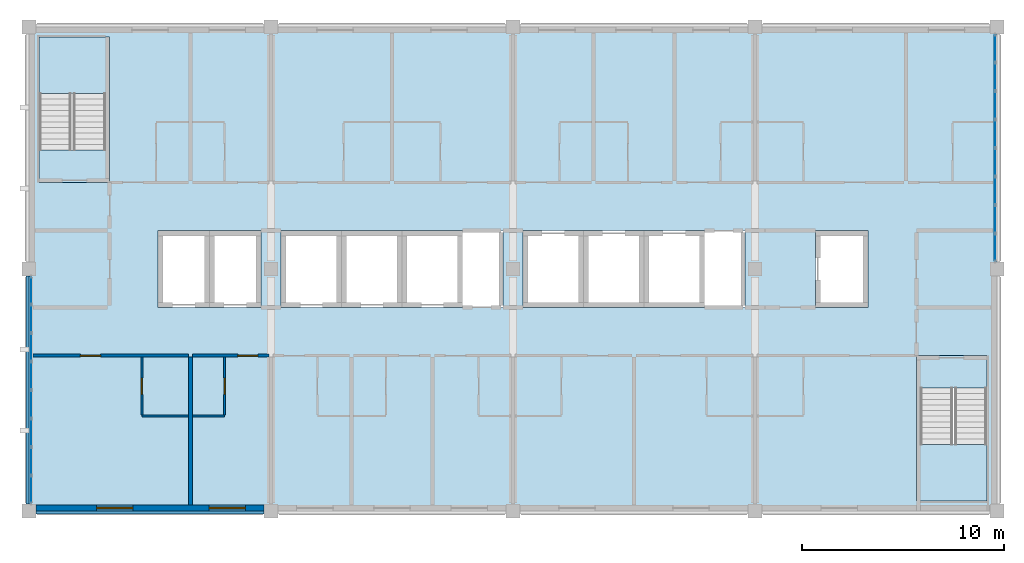
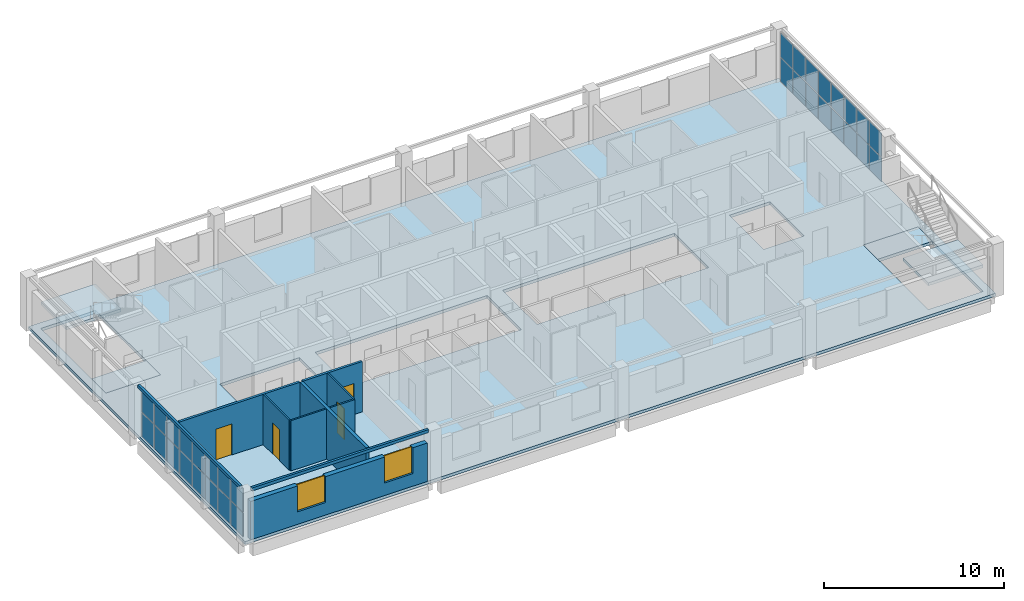
# One storey, part 5 of 11: 32 plates, 10 walls, 5 slabs, 4 doors, 2 windows, 6 openings, 4 elements without a shape of their own.
"""IFC4 building model written with IfcOpenShell, lengths in metres."""

from ifc_helpers import new_model, si_unit, direction, frame, frame_2d, origin, origin_2d, place, context, subcontext, project, spatial, polyline, rectangle, outline, extrude, material, layer, layer_set, type_object, element, fill, aggregate, save


model = new_model("IFC4")

# Units and contexts
model_context = context("Model", 3, precision=1e-05, world=origin(), true_north=direction((0.0, 1.0)))
body_context = subcontext(model_context, "Body", "Model", "MODEL_VIEW")
ifc_project = project(units=[si_unit("LENGTHUNIT", "METRE"), si_unit("AREAUNIT", "SQUARE_METRE"), si_unit("VOLUMEUNIT", "CUBIC_METRE"), si_unit("PLANEANGLEUNIT", "RADIAN"), si_unit("MASSUNIT", "GRAM", prefix="KILO")], contexts=[model_context])

# Site, building, storey
site_placement = place(None, origin())
site = spatial("IfcSite", under=ifc_project, at=site_placement, CompositionType="ELEMENT")
building_placement = place(site_placement, origin())
building = spatial("IfcBuilding", under=site, at=building_placement, Name="Lilac Gate Convention Centre", CompositionType="ELEMENT")
storey_placement = place(building_placement, frame((0.0, 0.0, 49.800048828125)))
storey = spatial("IfcBuildingStorey", under=building, at=storey_placement, Name="L12", CompositionType="ELEMENT", Elevation=49.800048828125)

# Curtain wall, plates
ifc_material_1 = material(Name="Aluminium framed double glazing", Category="aluminium")
ifc_layer_1 = layer(ifc_material_1, 0.199951171875)
ifc_layer_set_1 = layer_set([ifc_layer_1], Name="Aluminium framed double glazing")
curtain_wall_type = type_object("IfcCurtainWallType", Name="Unitised curtain wall 1500", PredefinedType="NOTDEFINED", material=ifc_layer_set_1)
curtain_wall_1_placement = place(storey_placement, origin())
curtain_wall_1 = element("IfcCurtainWall", 1, at=curtain_wall_1_placement, inside=storey, type_object=curtain_wall_type, Name="Curtain wall E L12 2", PredefinedType="NOTDEFINED")
ifc_material_2 = material(Name="Double glazed unit low emissivity")
ifc_layer_2 = layer(ifc_material_2, 0.028076171875)
ifc_layer_set_2 = layer_set([ifc_layer_2], Name="Double glazed unit low emissivity")
plate_type_1 = type_object("IfcPlateType", Name="Curtain wall glass panel 28", PredefinedType="CURTAIN_PANEL", material=ifc_layer_set_2)
plate_1_placement = place(storey_placement, frame((89.89990234375, 235.0712890625, 1.72998046875), z_axis=(0.0, 0.0, 1.0), x_axis=(0.0, 1.0, 0.0)))
plate_1 = element("IfcPlate", 2, at=plate_1_placement, type_object=plate_type_1, Name="CW panel 1.2", PredefinedType="CURTAIN_PANEL", context=body_context, shape_type="SweptSolid", body=[
    extrude(rectangle(XDim=1.322509765625, YDim=0.028076171875, at=origin_2d()), origin(), (0.0, 0.0, 1.0), 1.60986328125),
])
plate_2_placement = place(storey_placement, frame((89.89990234375, 236.46875, 1.72998046875), z_axis=(0.0, 0.0, 1.0), x_axis=(0.0, 1.0, 0.0)))
plate_2 = element("IfcPlate", 3, at=plate_2_placement, type_object=plate_type_1, Name="CW panel 2.2", PredefinedType="CURTAIN_PANEL", context=body_context, shape_type="SweptSolid", body=[
    extrude(rectangle(XDim=1.3525390625, YDim=0.028076171875, at=origin_2d()), origin(), (0.0, 0.0, 1.0), 1.60986328125),
])
plate_3_placement = place(storey_placement, frame((89.89990234375, 237.88134765625, 1.72998046875), z_axis=(0.0, 0.0, 1.0), x_axis=(0.0, 1.0, 0.0)))
plate_3 = element("IfcPlate", 4, at=plate_3_placement, type_object=plate_type_1, Name="CW panel 3.2", PredefinedType="CURTAIN_PANEL", context=body_context, shape_type="SweptSolid", body=[
    extrude(rectangle(XDim=1.3525390625, YDim=0.028076171875, at=origin_2d()), origin(), (0.0, 0.0, 1.0), 1.60986328125),
])
plate_4_placement = place(storey_placement, frame((89.89990234375, 239.293701171875, 1.72998046875), z_axis=(0.0, 0.0, 1.0), x_axis=(0.0, 1.0, 0.0)))
plate_4 = element("IfcPlate", 5, at=plate_4_placement, type_object=plate_type_1, Name="CW panel 4.2", PredefinedType="CURTAIN_PANEL", context=body_context, shape_type="SweptSolid", body=[
    extrude(rectangle(XDim=1.3525390625, YDim=0.028076171875, at=origin_2d()), origin(), (0.0, 0.0, 1.0), 1.60986328125),
])
plate_5_placement = place(storey_placement, frame((89.89990234375, 240.706298828125, 1.72998046875), z_axis=(0.0, 0.0, 1.0), x_axis=(0.0, 1.0, 0.0)))
plate_5 = element("IfcPlate", 6, at=plate_5_placement, type_object=plate_type_1, Name="CW panel 5.2", PredefinedType="CURTAIN_PANEL", context=body_context, shape_type="SweptSolid", body=[
    extrude(rectangle(XDim=1.3525390625, YDim=0.028076171875, at=origin_2d()), origin(), (0.0, 0.0, 1.0), 1.60986328125),
])
plate_6_placement = place(storey_placement, frame((89.89990234375, 242.11865234375, 1.72998046875), z_axis=(0.0, 0.0, 1.0), x_axis=(0.0, 1.0, 0.0)))
plate_6 = element("IfcPlate", 7, at=plate_6_placement, type_object=plate_type_1, Name="CW panel 6.2", PredefinedType="CURTAIN_PANEL", context=body_context, shape_type="SweptSolid", body=[
    extrude(rectangle(XDim=1.3525390625, YDim=0.028076171875, at=origin_2d()), origin(), (0.0, 0.0, 1.0), 1.60986328125),
])
plate_7_placement = place(storey_placement, frame((89.89990234375, 243.53125, 1.72998046875), z_axis=(0.0, 0.0, 1.0), x_axis=(0.0, 1.0, 0.0)))
plate_7 = element("IfcPlate", 8, at=plate_7_placement, type_object=plate_type_1, Name="CW panel 7.2", PredefinedType="CURTAIN_PANEL", context=body_context, shape_type="SweptSolid", body=[
    extrude(rectangle(XDim=1.3525390625, YDim=0.028076171875, at=origin_2d()), origin(), (0.0, 0.0, 1.0), 1.60986328125),
])
plate_8_placement = place(storey_placement, frame((89.89990234375, 244.9287109375, 1.72998046875), z_axis=(0.0, 0.0, 1.0), x_axis=(0.0, 1.0, 0.0)))
plate_8 = element("IfcPlate", 9, at=plate_8_placement, type_object=plate_type_1, Name="CW panel 8.2", PredefinedType="CURTAIN_PANEL", context=body_context, shape_type="SweptSolid", body=[
    extrude(rectangle(XDim=1.322509765625, YDim=0.028076171875, at=origin_2d()), origin(), (0.0, 0.0, 1.0), 1.60986328125),
])

curtain_wall_2_placement = place(storey_placement, origin())
curtain_wall_2 = element("IfcCurtainWall", 10, at=curtain_wall_2_placement, inside=storey, type_object=curtain_wall_type, Name="Curtain wall W L12 2", PredefinedType="NOTDEFINED")
plate_9_placement = place(storey_placement, frame((42.10009765625, 232.9287109375, 1.72998046875), z_axis=(0.0, 0.0, 1.0), x_axis=(0.0, -1.0, 0.0)))
plate_9 = element("IfcPlate", 11, at=plate_9_placement, type_object=plate_type_1, Name="CW panel 1.2", PredefinedType="CURTAIN_PANEL", context=body_context, shape_type="SweptSolid", body=[
    extrude(rectangle(XDim=1.322509765625, YDim=0.028076171875, at=origin_2d()), origin(), (0.0, 0.0, 1.0), 1.60986328125),
])
plate_10_placement = place(storey_placement, frame((42.10009765625, 231.53125, 1.72998046875), z_axis=(0.0, 0.0, 1.0), x_axis=(0.0, -1.0, 0.0)))
plate_10 = element("IfcPlate", 12, at=plate_10_placement, type_object=plate_type_1, Name="CW panel 2.2", PredefinedType="CURTAIN_PANEL", context=body_context, shape_type="SweptSolid", body=[
    extrude(rectangle(XDim=1.3525390625, YDim=0.028076171875, at=origin_2d()), origin(), (0.0, 0.0, 1.0), 1.60986328125),
])
plate_11_placement = place(storey_placement, frame((42.10009765625, 230.11865234375, 1.72998046875), z_axis=(0.0, 0.0, 1.0), x_axis=(0.0, -1.0, 0.0)))
plate_11 = element("IfcPlate", 13, at=plate_11_placement, type_object=plate_type_1, Name="CW panel 3.2", PredefinedType="CURTAIN_PANEL", context=body_context, shape_type="SweptSolid", body=[
    extrude(rectangle(XDim=1.3525390625, YDim=0.028076171875, at=origin_2d()), origin(), (0.0, 0.0, 1.0), 1.60986328125),
])
plate_12_placement = place(storey_placement, frame((42.10009765625, 228.706298828125, 1.72998046875), z_axis=(0.0, 0.0, 1.0), x_axis=(0.0, -1.0, 0.0)))
plate_12 = element("IfcPlate", 14, at=plate_12_placement, type_object=plate_type_1, Name="CW panel 4.2", PredefinedType="CURTAIN_PANEL", context=body_context, shape_type="SweptSolid", body=[
    extrude(rectangle(XDim=1.3525390625, YDim=0.028076171875, at=origin_2d()), origin(), (0.0, 0.0, 1.0), 1.60986328125),
])
plate_13_placement = place(storey_placement, frame((42.10009765625, 227.293701171875, 1.72998046875), z_axis=(0.0, 0.0, 1.0), x_axis=(0.0, -1.0, 0.0)))
plate_13 = element("IfcPlate", 15, at=plate_13_placement, type_object=plate_type_1, Name="CW panel 5.2", PredefinedType="CURTAIN_PANEL", context=body_context, shape_type="SweptSolid", body=[
    extrude(rectangle(XDim=1.3525390625, YDim=0.028076171875, at=origin_2d()), origin(), (0.0, 0.0, 1.0), 1.60986328125),
])
plate_14_placement = place(storey_placement, frame((42.10009765625, 225.88134765625, 1.72998046875), z_axis=(0.0, 0.0, 1.0), x_axis=(0.0, -1.0, 0.0)))
plate_14 = element("IfcPlate", 16, at=plate_14_placement, type_object=plate_type_1, Name="CW panel 6.2", PredefinedType="CURTAIN_PANEL", context=body_context, shape_type="SweptSolid", body=[
    extrude(rectangle(XDim=1.3525390625, YDim=0.028076171875, at=origin_2d()), origin(), (0.0, 0.0, 1.0), 1.60986328125),
])
plate_15_placement = place(storey_placement, frame((42.10009765625, 224.46875, 1.72998046875), z_axis=(0.0, 0.0, 1.0), x_axis=(0.0, -1.0, 0.0)))
plate_15 = element("IfcPlate", 17, at=plate_15_placement, type_object=plate_type_1, Name="CW panel 7.2", PredefinedType="CURTAIN_PANEL", context=body_context, shape_type="SweptSolid", body=[
    extrude(rectangle(XDim=1.3525390625, YDim=0.028076171875, at=origin_2d()), origin(), (0.0, 0.0, 1.0), 1.60986328125),
])
plate_16_placement = place(storey_placement, frame((42.10009765625, 223.0712890625, 1.72998046875), z_axis=(0.0, 0.0, 1.0), x_axis=(0.0, -1.0, 0.0)))
plate_16 = element("IfcPlate", 18, at=plate_16_placement, type_object=plate_type_1, Name="CW panel 8.2", PredefinedType="CURTAIN_PANEL", context=body_context, shape_type="SweptSolid", body=[
    extrude(rectangle(XDim=1.322509765625, YDim=0.028076171875, at=origin_2d()), origin(), (0.0, 0.0, 1.0), 1.60986328125),
])

# Plate
ifc_material_3 = material(Name="Insulated aluminium spandrel panel", Category="aluminium")
ifc_layer_3 = layer(ifc_material_3, 0.028076171875)
ifc_layer_set_3 = layer_set([ifc_layer_3], Name="Insulated aluminium spandrel panel")
plate_type_2 = type_object("IfcPlateType", Name="Curtain wall spandrel panel 28", PredefinedType="CURTAIN_PANEL", material=ifc_layer_set_3)
plate_17_placement = place(storey_placement, frame((89.89990234375, 235.0712890625, 0.06005859375), z_axis=(0.0, 0.0, 1.0), x_axis=(0.0, 1.0, 0.0)))
plate_17 = element("IfcPlate", 19, at=plate_17_placement, type_object=plate_type_2, Name="CW spandrel 1.1", PredefinedType="CURTAIN_PANEL", context=body_context, shape_type="SweptSolid", body=[
    extrude(rectangle(XDim=1.322509765625, YDim=0.028076171875, at=origin_2d()), origin(), (0.0, 0.0, 1.0), 1.60986328125),
])

plate_18_placement = place(storey_placement, frame((89.89990234375, 236.46875, 0.06005859375), z_axis=(0.0, 0.0, 1.0), x_axis=(0.0, 1.0, 0.0)))
plate_18 = element("IfcPlate", 20, at=plate_18_placement, type_object=plate_type_2, Name="CW spandrel 2.1", PredefinedType="CURTAIN_PANEL", context=body_context, shape_type="SweptSolid", body=[
    extrude(rectangle(XDim=1.3525390625, YDim=0.028076171875, at=origin_2d()), origin(), (0.0, 0.0, 1.0), 1.60986328125),
])

plate_19_placement = place(storey_placement, frame((89.89990234375, 237.88134765625, 0.06005859375), z_axis=(0.0, 0.0, 1.0), x_axis=(0.0, 1.0, 0.0)))
plate_19 = element("IfcPlate", 21, at=plate_19_placement, type_object=plate_type_2, Name="CW spandrel 3.1", PredefinedType="CURTAIN_PANEL", context=body_context, shape_type="SweptSolid", body=[
    extrude(rectangle(XDim=1.3525390625, YDim=0.028076171875, at=origin_2d()), origin(), (0.0, 0.0, 1.0), 1.60986328125),
])

plate_20_placement = place(storey_placement, frame((89.89990234375, 239.293701171875, 0.06005859375), z_axis=(0.0, 0.0, 1.0), x_axis=(0.0, 1.0, 0.0)))
plate_20 = element("IfcPlate", 22, at=plate_20_placement, type_object=plate_type_2, Name="CW spandrel 4.1", PredefinedType="CURTAIN_PANEL", context=body_context, shape_type="SweptSolid", body=[
    extrude(rectangle(XDim=1.3525390625, YDim=0.028076171875, at=origin_2d()), origin(), (0.0, 0.0, 1.0), 1.60986328125),
])

plate_21_placement = place(storey_placement, frame((89.89990234375, 240.706298828125, 0.06005859375), z_axis=(0.0, 0.0, 1.0), x_axis=(0.0, 1.0, 0.0)))
plate_21 = element("IfcPlate", 23, at=plate_21_placement, type_object=plate_type_2, Name="CW spandrel 5.1", PredefinedType="CURTAIN_PANEL", context=body_context, shape_type="SweptSolid", body=[
    extrude(rectangle(XDim=1.3525390625, YDim=0.028076171875, at=origin_2d()), origin(), (0.0, 0.0, 1.0), 1.60986328125),
])

plate_22_placement = place(storey_placement, frame((89.89990234375, 242.11865234375, 0.06005859375), z_axis=(0.0, 0.0, 1.0), x_axis=(0.0, 1.0, 0.0)))
plate_22 = element("IfcPlate", 24, at=plate_22_placement, type_object=plate_type_2, Name="CW spandrel 6.1", PredefinedType="CURTAIN_PANEL", context=body_context, shape_type="SweptSolid", body=[
    extrude(rectangle(XDim=1.3525390625, YDim=0.028076171875, at=origin_2d()), origin(), (0.0, 0.0, 1.0), 1.60986328125),
])

plate_23_placement = place(storey_placement, frame((89.89990234375, 243.53125, 0.06005859375), z_axis=(0.0, 0.0, 1.0), x_axis=(0.0, 1.0, 0.0)))
plate_23 = element("IfcPlate", 25, at=plate_23_placement, type_object=plate_type_2, Name="CW spandrel 7.1", PredefinedType="CURTAIN_PANEL", context=body_context, shape_type="SweptSolid", body=[
    extrude(rectangle(XDim=1.3525390625, YDim=0.028076171875, at=origin_2d()), origin(), (0.0, 0.0, 1.0), 1.60986328125),
])

plate_24_placement = place(storey_placement, frame((89.89990234375, 244.9287109375, 0.06005859375), z_axis=(0.0, 0.0, 1.0), x_axis=(0.0, 1.0, 0.0)))
plate_24 = element("IfcPlate", 26, at=plate_24_placement, type_object=plate_type_2, Name="CW spandrel 8.1", PredefinedType="CURTAIN_PANEL", context=body_context, shape_type="SweptSolid", body=[
    extrude(rectangle(XDim=1.322509765625, YDim=0.028076171875, at=origin_2d()), origin(), (0.0, 0.0, 1.0), 1.60986328125),
])

aggregate(curtain_wall_1, [plate_17, plate_1, plate_18, plate_2, plate_19, plate_3, plate_20, plate_4, plate_21, plate_5, plate_22, plate_6, plate_23, plate_7, plate_24, plate_8])

plate_25_placement = place(storey_placement, frame((42.10009765625, 232.9287109375, 0.06005859375), z_axis=(0.0, 0.0, 1.0), x_axis=(0.0, -1.0, 0.0)))
plate_25 = element("IfcPlate", 27, at=plate_25_placement, type_object=plate_type_2, Name="CW spandrel 1.1", PredefinedType="CURTAIN_PANEL", context=body_context, shape_type="SweptSolid", body=[
    extrude(rectangle(XDim=1.322509765625, YDim=0.028076171875, at=origin_2d()), origin(), (0.0, 0.0, 1.0), 1.60986328125),
])

plate_26_placement = place(storey_placement, frame((42.10009765625, 231.53125, 0.06005859375), z_axis=(0.0, 0.0, 1.0), x_axis=(0.0, -1.0, 0.0)))
plate_26 = element("IfcPlate", 28, at=plate_26_placement, type_object=plate_type_2, Name="CW spandrel 2.1", PredefinedType="CURTAIN_PANEL", context=body_context, shape_type="SweptSolid", body=[
    extrude(rectangle(XDim=1.3525390625, YDim=0.028076171875, at=origin_2d()), origin(), (0.0, 0.0, 1.0), 1.60986328125),
])

plate_27_placement = place(storey_placement, frame((42.10009765625, 230.11865234375, 0.06005859375), z_axis=(0.0, 0.0, 1.0), x_axis=(0.0, -1.0, 0.0)))
plate_27 = element("IfcPlate", 29, at=plate_27_placement, type_object=plate_type_2, Name="CW spandrel 3.1", PredefinedType="CURTAIN_PANEL", context=body_context, shape_type="SweptSolid", body=[
    extrude(rectangle(XDim=1.3525390625, YDim=0.028076171875, at=origin_2d()), origin(), (0.0, 0.0, 1.0), 1.60986328125),
])

plate_28_placement = place(storey_placement, frame((42.10009765625, 228.706298828125, 0.06005859375), z_axis=(0.0, 0.0, 1.0), x_axis=(0.0, -1.0, 0.0)))
plate_28 = element("IfcPlate", 30, at=plate_28_placement, type_object=plate_type_2, Name="CW spandrel 4.1", PredefinedType="CURTAIN_PANEL", context=body_context, shape_type="SweptSolid", body=[
    extrude(rectangle(XDim=1.3525390625, YDim=0.028076171875, at=origin_2d()), origin(), (0.0, 0.0, 1.0), 1.60986328125),
])

plate_29_placement = place(storey_placement, frame((42.10009765625, 227.293701171875, 0.06005859375), z_axis=(0.0, 0.0, 1.0), x_axis=(0.0, -1.0, 0.0)))
plate_29 = element("IfcPlate", 31, at=plate_29_placement, type_object=plate_type_2, Name="CW spandrel 5.1", PredefinedType="CURTAIN_PANEL", context=body_context, shape_type="SweptSolid", body=[
    extrude(rectangle(XDim=1.3525390625, YDim=0.028076171875, at=origin_2d()), origin(), (0.0, 0.0, 1.0), 1.60986328125),
])

plate_30_placement = place(storey_placement, frame((42.10009765625, 225.88134765625, 0.06005859375), z_axis=(0.0, 0.0, 1.0), x_axis=(0.0, -1.0, 0.0)))
plate_30 = element("IfcPlate", 32, at=plate_30_placement, type_object=plate_type_2, Name="CW spandrel 6.1", PredefinedType="CURTAIN_PANEL", context=body_context, shape_type="SweptSolid", body=[
    extrude(rectangle(XDim=1.3525390625, YDim=0.028076171875, at=origin_2d()), origin(), (0.0, 0.0, 1.0), 1.60986328125),
])

plate_31_placement = place(storey_placement, frame((42.10009765625, 224.46875, 0.06005859375), z_axis=(0.0, 0.0, 1.0), x_axis=(0.0, -1.0, 0.0)))
plate_31 = element("IfcPlate", 33, at=plate_31_placement, type_object=plate_type_2, Name="CW spandrel 7.1", PredefinedType="CURTAIN_PANEL", context=body_context, shape_type="SweptSolid", body=[
    extrude(rectangle(XDim=1.3525390625, YDim=0.028076171875, at=origin_2d()), origin(), (0.0, 0.0, 1.0), 1.60986328125),
])

plate_32_placement = place(storey_placement, frame((42.10009765625, 223.0712890625, 0.06005859375), z_axis=(0.0, 0.0, 1.0), x_axis=(0.0, -1.0, 0.0)))
plate_32 = element("IfcPlate", 34, at=plate_32_placement, type_object=plate_type_2, Name="CW spandrel 8.1", PredefinedType="CURTAIN_PANEL", context=body_context, shape_type="SweptSolid", body=[
    extrude(rectangle(XDim=1.322509765625, YDim=0.028076171875, at=origin_2d()), origin(), (0.0, 0.0, 1.0), 1.60986328125),
])

aggregate(curtain_wall_2, [plate_25, plate_9, plate_26, plate_10, plate_27, plate_11, plate_28, plate_12, plate_29, plate_13, plate_30, plate_14, plate_31, plate_15, plate_32, plate_16])

# Stair, slabs
ifc_material_4 = material(Name="Concrete C40", Category="concrete")
stair_type = type_object("IfcStairType", Name="Exit stair", PredefinedType="DOUBLE_RETURN_STAIR", material=ifc_material_4)
stair_1_placement = place(storey_placement, origin())
stair_1 = element("IfcStair", 35, at=stair_1_placement, inside=storey, type_object=stair_type, Name="Exit stair NW L12", PredefinedType="DOUBLE_RETURN_STAIR")
ifc_layer_4 = layer(ifc_material_4, 0.199951171875)
ifc_layer_set_4 = layer_set([ifc_layer_4], Name="Concrete C40")
slab_type_1 = type_object("IfcSlabType", Name="Exit stair landing", PredefinedType="LANDING", material=ifc_layer_set_4)
slab_1_placement = place(storey_placement, frame((0.0, 0.0, -0.199951171875)))
slab_1 = element("IfcSlab", 36, at=slab_1_placement, type_object=slab_type_1, Name="ST-NW landing 1", PredefinedType="LANDING", context=body_context, shape_type="SweptSolid", body=[
    extrude(outline(polyline([(42.5, 238.300048828125), (46.0, 238.300048828125), (46.0, 239.89990234375), (42.5, 239.89990234375), (42.5, 238.300048828125)])), origin(), (0.0, 0.0, 1.0), 0.199951171875),
])
slab_2_placement = place(storey_placement, frame((0.0, 0.0, 1.599853515625)))
slab_2 = element("IfcSlab", 37, at=slab_2_placement, type_object=slab_type_1, Name="ST-NW landing 2", PredefinedType="LANDING", context=body_context, shape_type="SweptSolid", body=[
    extrude(outline(polyline([(42.5, 242.699951171875), (46.0, 242.699951171875), (46.0, 245.5), (42.5, 245.5), (42.5, 242.699951171875)])), origin(), (0.0, 0.0, 1.0), 0.2001953125),
])
aggregate(stair_1, [slab_1, slab_2])

stair_2_placement = place(storey_placement, origin())
stair_2 = element("IfcStair", 38, at=stair_2_placement, inside=storey, type_object=stair_type, Name="Exit stair SE L12", PredefinedType="DOUBLE_RETURN_STAIR")
slab_3_placement = place(storey_placement, frame((0.0, 0.0, -0.199951171875)))
slab_3 = element("IfcSlab", 39, at=slab_3_placement, type_object=slab_type_1, Name="ST-SE landing 1", PredefinedType="LANDING", context=body_context, shape_type="SweptSolid", body=[
    extrude(outline(polyline([(86.0, 228.10009765625), (89.5, 228.10009765625), (89.5, 229.699951171875), (86.0, 229.699951171875), (86.0, 228.10009765625)])), origin(), (0.0, 0.0, 1.0), 0.199951171875),
])
slab_4_placement = place(storey_placement, frame((0.0, 0.0, 1.599853515625)))
slab_4 = element("IfcSlab", 40, at=slab_4_placement, type_object=slab_type_1, Name="ST-SE landing 2", PredefinedType="LANDING", context=body_context, shape_type="SweptSolid", body=[
    extrude(outline(polyline([(86.0, 222.5), (89.5, 222.5), (89.5, 225.300048828125), (86.0, 225.300048828125), (86.0, 222.5)])), origin(), (0.0, 0.0, 1.0), 0.2001953125),
])
aggregate(stair_2, [slab_3, slab_4])

# Slab
ifc_layer_5 = layer(ifc_material_4, 0.199951171875)
ifc_layer_set_5 = layer_set([ifc_layer_5], Name="Concrete C40")
slab_type_2 = type_object("IfcSlabType", Name="Floor slab 200 C40", PredefinedType="FLOOR", material=ifc_layer_set_5)
slab_5_placement = place(storey_placement, frame((0.0, 0.0, -0.199951171875)))
element("IfcSlab", 41, at=slab_5_placement, inside=storey, type_object=slab_type_2, Name="FS3 slab L12 1", PredefinedType="FLOOR", context=body_context, shape_type="SweptSolid", body=[
    extrude(outline(polyline([(42.0, 222.0), (42.0, 246.0), (90.0, 246.0), (90.0, 222.0), (42.0, 222.0)]), holes=[polyline([(48.39990234375, 235.89990234375), (48.39990234375, 232.10009765625), (50.949951171875, 232.10009765625), (53.5, 232.10009765625), (53.5, 235.89990234375), (50.949951171875, 235.89990234375), (48.39990234375, 235.89990234375)]), polyline([(57.5, 235.89990234375), (54.5, 235.89990234375), (54.5, 232.10009765625), (57.5, 232.10009765625), (60.5, 232.10009765625), (63.5, 232.10009765625), (65.5, 232.10009765625), (65.5, 235.89990234375), (63.5, 235.89990234375), (60.5, 235.89990234375), (57.5, 235.89990234375)]), polyline([(42.5, 245.5), (42.5, 238.300048828125), (46.0, 238.300048828125), (46.0, 245.5), (42.5, 245.5)]), polyline([(89.5, 229.699951171875), (86.0, 229.699951171875), (86.0, 222.5), (89.5, 222.5), (89.5, 229.699951171875)]), polyline([(69.5, 235.89990234375), (66.5, 235.89990234375), (66.5, 232.10009765625), (69.5, 232.10009765625), (72.5, 232.10009765625), (75.5, 232.10009765625), (77.5, 232.10009765625), (77.5, 235.89990234375), (75.5, 235.89990234375), (72.5, 235.89990234375), (69.5, 235.89990234375)]), polyline([(83.60009765625, 235.89990234375), (81.0, 235.89990234375), (81.0, 232.10009765625), (83.60009765625, 232.10009765625), (83.60009765625, 235.89990234375)])]), origin(), (0.0, 0.0, 1.0), 0.199951171875),
])

# Wall, opening, door
ifc_material_5 = material(Name="Gypsum board on steel stud", Category="steel")
ifc_layer_6 = layer(ifc_material_5, 0.14990234375)
ifc_layer_set_6 = layer_set([ifc_layer_6], Name="Gypsum board on steel stud")
wall_type_1 = type_object("IfcWallType", Name="Corridor wall 150", PredefinedType="PARTITIONING", material=ifc_layer_set_6)
wall_1_placement = place(storey_placement, frame((49.89990234375, 229.699951171875, 0.0), z_axis=(0.0, 0.0, 1.0), x_axis=(-1.0, 0.0, 0.0)))
wall_1 = element("IfcWall", 42, at=wall_1_placement, inside=storey, type_object=wall_type_1, Name="Corridor wall 150 front 1201", PredefinedType="PARTITIONING", context=body_context, shape_type="SweptSolid", body=[
    extrude(rectangle(XDim=7.69970703125, YDim=0.14990234375, at=frame_2d((3.849853515625, 0.0))), origin(), (0.0, 0.0, 1.0), 3.39990234375),
])
opening_1_placement = place(wall_1_placement, frame((4.35009765625, 0.0, 0.0)))
opening_1 = element("IfcOpeningElement", 43, at=opening_1_placement, cuts=wall_1, Name="Opening T10-008", PredefinedType="OPENING", context=body_context, shape_type="SweptSolid", body=[
    extrude(rectangle(XDim=1.0, YDim=2.10009765625, at=frame_2d((0.5, 1.050048828125))), frame((0.0, 0.0849609375, 0.0), z_axis=(0.0, -1.0, 0.0), x_axis=(1.0, 0.0, 0.0)), (0.0, 0.0, 1.0), 0.169921875),
])
ifc_material_6 = material(Name="Timber", Category="wood")
door_type_1 = type_object("IfcDoorType", Name="Guest room entrance door 1000", OperationType="SINGLE_SWING_LEFT", PredefinedType="DOOR", material=ifc_material_6)
door_1_placement = place(opening_1_placement, origin())
door_1 = element("IfcDoor", 44, at=door_1_placement, inside=storey, type_object=door_type_1, Name="Guest room door 1201", OperationType="SINGLE_SWING_LEFT", OverallHeight=2.10009765625, OverallWidth=1.0, PredefinedType="DOOR", context=body_context, shape_type="SweptSolid", body=[
    extrude(rectangle(XDim=1.0, YDim=2.10009765625, at=frame_2d((0.5, 1.050048828125))), frame((0.0, 0.02490234375, 0.0), z_axis=(0.0, -1.0, 0.0), x_axis=(1.0, 0.0, 0.0)), (0.0, 0.0, 1.0), 0.050048828125),
])
fill(opening_1, door_1)

wall_2_placement = place(storey_placement, frame((53.89990234375, 229.699951171875, 0.0), z_axis=(0.0, 0.0, 1.0), x_axis=(-1.0, 0.0, 0.0)))
wall_2 = element("IfcWall", 45, at=wall_2_placement, inside=storey, type_object=wall_type_1, Name="Corridor wall 150 front 1202", PredefinedType="PARTITIONING", context=body_context, shape_type="SweptSolid", body=[
    extrude(rectangle(XDim=3.7998046875, YDim=0.14990234375, at=frame_2d((1.89990234375, 0.0))), origin(), (0.0, 0.0, 1.0), 3.39990234375),
])
opening_2_placement = place(wall_2_placement, frame((0.550048828125, 0.0, 0.0)))
opening_2 = element("IfcOpeningElement", 46, at=opening_2_placement, cuts=wall_2, Name="Opening T10-010", PredefinedType="OPENING", context=body_context, shape_type="SweptSolid", body=[
    extrude(rectangle(XDim=1.0, YDim=2.10009765625, at=frame_2d((0.5, 1.050048828125))), frame((0.0, 0.0849609375, 0.0), z_axis=(0.0, -1.0, 0.0), x_axis=(1.0, 0.0, 0.0)), (0.0, 0.0, 1.0), 0.169921875),
])
door_2_placement = place(opening_2_placement, origin())
door_2 = element("IfcDoor", 47, at=door_2_placement, inside=storey, type_object=door_type_1, Name="Guest room door 1202", OperationType="SINGLE_SWING_LEFT", OverallHeight=2.10009765625, OverallWidth=1.0, PredefinedType="DOOR", context=body_context, shape_type="SweptSolid", body=[
    extrude(rectangle(XDim=1.0, YDim=2.10009765625, at=frame_2d((0.5, 1.050048828125))), frame((0.0, 0.02490234375, 0.0), z_axis=(0.0, -1.0, 0.0), x_axis=(1.0, 0.0, 0.0)), (0.0, 0.0, 1.0), 0.050048828125),
])
fill(opening_2, door_2)

# Wall
ifc_layer_7 = layer(ifc_material_5, 0.10009765625)
ifc_layer_set_7 = layer_set([ifc_layer_7], Name="Gypsum board on steel stud")
wall_type_2 = type_object("IfcWallType", Name="En-suite wall 100", PredefinedType="PARTITIONING", material=ifc_layer_set_7)
wall_3_placement = place(storey_placement, frame((47.60009765625, 226.699951171875, 0.0), z_axis=(0.0, 0.0, 1.0), x_axis=(1.0, 0.0, 0.0)))
element("IfcWall", 48, at=wall_3_placement, inside=storey, type_object=wall_type_2, Name="En-suite wall 100 bath 1201", PredefinedType="PARTITIONING", context=body_context, shape_type="SweptSolid", body=[
    extrude(rectangle(XDim=2.2998046875, YDim=0.10009765625, at=frame_2d((1.14990234375, 0.0))), origin(), (0.0, 0.0, 1.0), 3.39990234375),
])

# Wall, opening, door
wall_4_placement = place(storey_placement, frame((47.60009765625, 226.75, 0.0), z_axis=(0.0, 0.0, 1.0), x_axis=(0.0, 1.0, 0.0)))
wall_4 = element("IfcWall", 49, at=wall_4_placement, inside=storey, type_object=wall_type_2, Name="En-suite wall 100 bath side 1201", PredefinedType="PARTITIONING", context=body_context, shape_type="SweptSolid", body=[
    extrude(rectangle(XDim=2.875, YDim=0.10009765625, at=frame_2d((1.4375, 0.0))), origin(), (0.0, 0.0, 1.0), 3.39990234375),
])
opening_3_placement = place(wall_4_placement, frame((1.03759765625, 0.0, 0.0)))
opening_3 = element("IfcOpeningElement", 50, at=opening_3_placement, cuts=wall_4, Name="Opening T10-009", PredefinedType="OPENING", context=body_context, shape_type="SweptSolid", body=[
    extrude(rectangle(XDim=0.800048828125, YDim=2.10009765625, at=frame_2d((0.39990234375, 1.050048828125))), frame((0.0, 0.06005859375, 0.0), z_axis=(0.0, -1.0, 0.0), x_axis=(1.0, 0.0, 0.0)), (0.0, 0.0, 1.0), 0.1201171875),
])
door_type_2 = type_object("IfcDoorType", Name="En-suite door 800", OperationType="SINGLE_SWING_LEFT", PredefinedType="DOOR", material=ifc_material_6)
door_3_placement = place(opening_3_placement, origin())
door_3 = element("IfcDoor", 51, at=door_3_placement, inside=storey, type_object=door_type_2, Name="En-suite door 1201", OperationType="SINGLE_SWING_RIGHT", OverallHeight=2.10009765625, OverallWidth=0.800048828125, PredefinedType="DOOR", context=body_context, shape_type="SweptSolid", body=[
    extrude(rectangle(XDim=0.800048828125, YDim=2.10009765625, at=frame_2d((0.39990234375, 1.050048828125))), frame((0.0, 0.02490234375, 0.0), z_axis=(0.0, -1.0, 0.0), x_axis=(1.0, 0.0, 0.0)), (0.0, 0.0, 1.0), 0.050048828125),
])
fill(opening_3, door_3)

# Wall
wall_5_placement = place(storey_placement, frame((50.10009765625, 226.699951171875, 0.0), z_axis=(0.0, 0.0, 1.0), x_axis=(1.0, 0.0, 0.0)))
element("IfcWall", 52, at=wall_5_placement, inside=storey, type_object=wall_type_2, Name="En-suite wall 100 bath 1202", PredefinedType="PARTITIONING", context=body_context, shape_type="SweptSolid", body=[
    extrude(rectangle(XDim=1.599853515625, YDim=0.10009765625, at=frame_2d((0.7998046875, 0.0))), origin(), (0.0, 0.0, 1.0), 3.39990234375),
])

# Wall, opening, door
wall_6_placement = place(storey_placement, frame((51.699951171875, 229.625, 0.0), z_axis=(0.0, 0.0, 1.0), x_axis=(0.0, -1.0, 0.0)))
wall_6 = element("IfcWall", 53, at=wall_6_placement, inside=storey, type_object=wall_type_2, Name="En-suite wall 100 bath side 1202", PredefinedType="PARTITIONING", context=body_context, shape_type="SweptSolid", body=[
    extrude(rectangle(XDim=2.875, YDim=0.10009765625, at=frame_2d((1.4375, 0.0))), origin(), (0.0, 0.0, 1.0), 3.39990234375),
])
opening_4_placement = place(wall_6_placement, frame((1.03759765625, 0.0, 0.0)))
opening_4 = element("IfcOpeningElement", 54, at=opening_4_placement, cuts=wall_6, Name="Opening T10-011", PredefinedType="OPENING", context=body_context, shape_type="SweptSolid", body=[
    extrude(rectangle(XDim=0.800048828125, YDim=2.10009765625, at=frame_2d((0.39990234375, 1.050048828125))), frame((0.0, 0.06005859375, 0.0), z_axis=(0.0, -1.0, 0.0), x_axis=(1.0, 0.0, 0.0)), (0.0, 0.0, 1.0), 0.1201171875),
])
door_4_placement = place(opening_4_placement, origin())
door_4 = element("IfcDoor", 55, at=door_4_placement, inside=storey, type_object=door_type_2, Name="En-suite door 1202", OperationType="SINGLE_SWING_LEFT", OverallHeight=2.10009765625, OverallWidth=0.800048828125, PredefinedType="DOOR", context=body_context, shape_type="SweptSolid", body=[
    extrude(rectangle(XDim=0.800048828125, YDim=2.10009765625, at=frame_2d((0.39990234375, 1.050048828125))), frame((0.0, 0.02490234375, 0.0), z_axis=(0.0, -1.0, 0.0), x_axis=(1.0, 0.0, 0.0)), (0.0, 0.0, 1.0), 0.050048828125),
])
fill(opening_4, door_4)

# Walls
ifc_layer_8 = layer(ifc_material_5, 0.199951171875)
ifc_layer_set_8 = layer_set([ifc_layer_8], Name="Gypsum board on steel stud")
wall_type_3 = type_object("IfcWallType", Name="Guest room party wall 200", PredefinedType="PARTITIONING", material=ifc_layer_set_8)
wall_7_placement = place(storey_placement, frame((50.0, 222.2998046875, 0.0), z_axis=(0.0, 0.0, 1.0), x_axis=(0.0, 1.0, 0.0)))
element("IfcWall", 56, at=wall_7_placement, inside=storey, type_object=wall_type_3, Name="Guest room party wall 200 party 50.0", PredefinedType="PARTITIONING", context=body_context, shape_type="SweptSolid", body=[
    extrude(rectangle(XDim=7.3251953125, YDim=0.199951171875, at=frame_2d((3.66259765625, 0.0))), origin(), (0.0, 0.0, 1.0), 3.39990234375),
])
ifc_material_7 = material(Name="Concrete C40 precast", Category="concrete")
ifc_layer_9 = layer(ifc_material_7, 0.1298828125)
ifc_material_8 = material(Name="Teal glazed cladding")
ifc_layer_10 = layer(ifc_material_8, 0.02001953125)
ifc_layer_set_9 = layer_set([ifc_layer_9, ifc_layer_10], Name="Concrete C40 precast, Teal glazed cladding")
wall_type_4 = type_object("IfcWallType", Name="Precast band teal 150", PredefinedType="STANDARD", material=ifc_layer_set_9)
for number, where, z_axis, x_axis, name in (
    (57, (42.35009765625, 221.925048828125, 3.39990234375), (0.0, 0.0, 1.0), (1.0, 0.0, 0.0), "Precast band S L12 1"),
    (58, (41.925048828125, 233.64990234375, 3.39990234375), (0.0, 0.0, 1.0), (0.0, -1.0, 0.0), "Precast band W L12 2"),
):
    element("IfcWall", number, at=place(storey_placement, frame(where, z_axis=z_axis, x_axis=x_axis)), inside=storey, type_object=wall_type_4, Name=name, PredefinedType="STANDARD", context=body_context, shape_type="SweptSolid", body=[
        extrude(rectangle(XDim=11.2998046875, YDim=0.14990234375, at=frame_2d((5.64990234375, 0.0))), origin(), (0.0, 0.0, 1.0), 0.199951171875),
    ])

# Wall, openings, windows
ifc_material_9 = material(Name="Ochre mineral render")
ifc_layer_11 = layer(ifc_material_9, 0.02001953125)
ifc_layer_12 = layer(ifc_material_7, 0.06005859375)
ifc_material_10 = material(Name="Ventilated air cavity")
ifc_layer_13 = layer(ifc_material_10, 0.030029296875)
ifc_material_11 = material(Name="Mineral wool insulation")
ifc_layer_14 = layer(ifc_material_11, 0.1201171875)
ifc_material_12 = material(Name="Steel stud Q345 and gypsum lining", Category="steel")
ifc_layer_15 = layer(ifc_material_12, 0.070068359375)
ifc_layer_set_10 = layer_set([ifc_layer_11, ifc_layer_12, ifc_layer_13, ifc_layer_14, ifc_layer_15], Name="Ochre mineral render, Concrete C40 precast, Ventilated air cavity, Mineral wool insulation, Steel stud Q345 and gypsum lining")
wall_type_5 = type_object("IfcWallType", Name="Precast panel wall ochre 300", PredefinedType="STANDARD", material=ifc_layer_set_10)
wall_8_placement = place(storey_placement, frame((42.35009765625, 222.14990234375, 0.0), z_axis=(0.0, 0.0, 1.0), x_axis=(1.0, 0.0, 0.0)))
wall_8 = element("IfcWall", 59, at=wall_8_placement, inside=storey, type_object=wall_type_5, Name="External wall S L12 1", PredefinedType="STANDARD", context=body_context, shape_type="SweptSolid", body=[
    extrude(rectangle(XDim=11.2998046875, YDim=0.300048828125, at=frame_2d((5.64990234375, 0.0))), origin(), (0.0, 0.0, 1.0), 2.599853515625),
])
opening_5_placement = place(wall_8_placement, frame((3.0, 0.0, 0.85009765625)))
opening_5 = element("IfcOpeningElement", 60, at=opening_5_placement, cuts=wall_8, Name="Opening W1", PredefinedType="OPENING", context=body_context, shape_type="SweptSolid", body=[
    extrude(rectangle(XDim=1.800048828125, YDim=1.75, at=frame_2d((0.89990234375, 0.875))), frame((0.0, 0.159912109375, 0.0), z_axis=(0.0, -1.0, 0.0), x_axis=(1.0, 0.0, 0.0)), (0.0, 0.0, 1.0), 0.320068359375),
])
opening_6_placement = place(wall_8_placement, frame((8.574951171875, 0.0, 0.85009765625)))
opening_6 = element("IfcOpeningElement", 61, at=opening_6_placement, cuts=wall_8, Name="Opening W1", PredefinedType="OPENING", context=body_context, shape_type="SweptSolid", body=[
    extrude(rectangle(XDim=1.800048828125, YDim=1.75, at=frame_2d((0.89990234375, 0.875))), frame((0.0, 0.159912109375, 0.0), z_axis=(0.0, -1.0, 0.0), x_axis=(1.0, 0.0, 0.0)), (0.0, 0.0, 1.0), 0.320068359375),
])
window_type = type_object("IfcWindowType", Name="Guest room window 1800 x 1750", PartitioningType="DOUBLE_PANEL_VERTICAL", PredefinedType="WINDOW", material=ifc_material_1)
window_1_placement = place(opening_5_placement, origin())
window_1 = element("IfcWindow", 62, at=window_1_placement, inside=storey, type_object=window_type, Name="Window Guest S L12", OverallHeight=1.75, OverallWidth=1.800048828125, PartitioningType="SINGLE_PANEL", PredefinedType="WINDOW", context=body_context, shape_type="SweptSolid", body=[
    extrude(rectangle(XDim=1.800048828125, YDim=1.75, at=frame_2d((0.89990234375, 0.875))), frame((0.0, 0.030029296875, 0.0), z_axis=(0.0, -1.0, 0.0), x_axis=(1.0, 0.0, 0.0)), (0.0, 0.0, 1.0), 0.06005859375),
])
fill(opening_5, window_1)
window_2_placement = place(opening_6_placement, origin())
window_2 = element("IfcWindow", 63, at=window_2_placement, inside=storey, type_object=window_type, Name="Window Guest S L12", OverallHeight=1.75, OverallWidth=1.800048828125, PartitioningType="SINGLE_PANEL", PredefinedType="WINDOW", context=body_context, shape_type="SweptSolid", body=[
    extrude(rectangle(XDim=1.800048828125, YDim=1.75, at=frame_2d((0.89990234375, 0.875))), frame((0.0, 0.030029296875, 0.0), z_axis=(0.0, -1.0, 0.0), x_axis=(1.0, 0.0, 0.0)), (0.0, 0.0, 1.0), 0.06005859375),
])
fill(opening_6, window_2)

save(model, "model.ifc")
